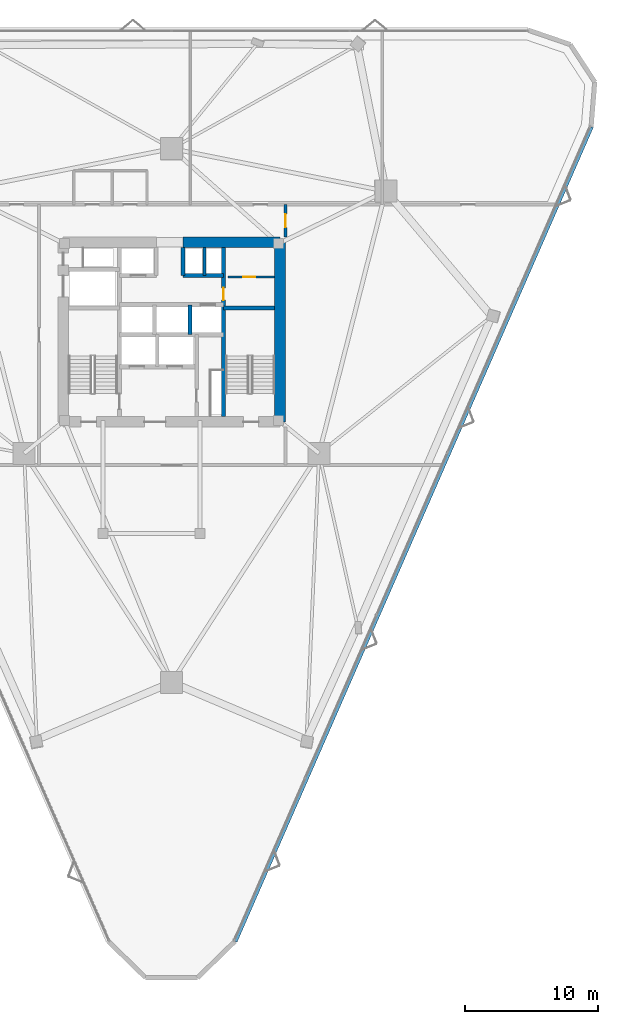
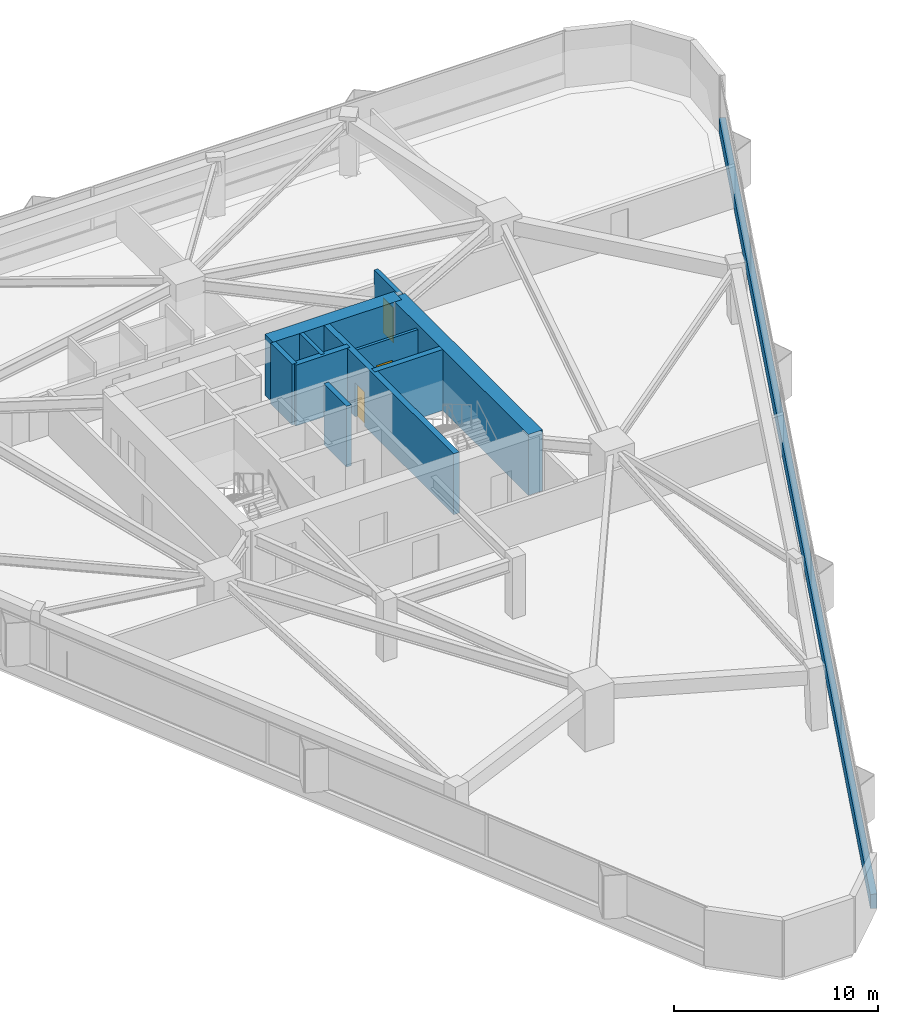
# One storey, part 17 of 20: 11 walls, 3 doors, 3 openings.
"""IFC4 building model written with IfcOpenShell, lengths in metres."""

from ifc_helpers import new_model, si_unit, direction, frame, frame_2d, origin, place, context, subcontext, project, spatial, rectangle, extrude, material, layer, layer_set, type_object, element, fill, save


model = new_model("IFC4")

# Units and contexts
model_context = context("Model", 3, precision=1e-05, world=origin(), true_north=direction((0.0, 1.0)))
body_context = subcontext(model_context, "Body", "Model", "MODEL_VIEW")
ifc_project = project(units=[si_unit("LENGTHUNIT", "METRE"), si_unit("AREAUNIT", "SQUARE_METRE"), si_unit("VOLUMEUNIT", "CUBIC_METRE"), si_unit("PLANEANGLEUNIT", "RADIAN"), si_unit("MASSUNIT", "GRAM", prefix="KILO")], contexts=[model_context])

# Site, building, storey
site_placement = place(None, origin())
site = spatial("IfcSite", under=ifc_project, at=site_placement, CompositionType="ELEMENT")
building_placement = place(site_placement, origin())
building = spatial("IfcBuilding", under=site, at=building_placement, Name="Talyreon Biosciences Tower", CompositionType="ELEMENT")
storey_placement = place(building_placement, frame((0.0, 0.0, 78.64990234375)))
storey = spatial("IfcBuildingStorey", under=building, at=storey_placement, Name="L20", CompositionType="ELEMENT", Elevation=78.64990234375)

# Walls
ifc_material_1 = material(Name="Concrete C50/60", Category="concrete")
ifc_layer_1 = layer(ifc_material_1, 0.219970703125)
ifc_layer_set_1 = layer_set([ifc_layer_1], Name="Concrete C50/60")
wall_type_1 = type_object("IfcWallType", Name="CoreShearWall_220", PredefinedType="SHEAR", material=ifc_layer_set_1)
wall_1_placement = place(storey_placement, frame((68.4599609375, 72.25, 0.0), z_axis=(0.0, 0.0, 1.0), x_axis=(0.0, 1.0, 0.0)))
element("IfcWall", 1, at=wall_1_placement, inside=storey, type_object=wall_type_1, Name="L20 Core Shaft Wall SWPHD", PredefinedType="SHEAR", context=body_context, shape_type="SweptSolid", body=[
    extrude(rectangle(XDim=2.10009765625, YDim=0.219970703125, at=frame_2d((1.050048828125, 0.0))), origin(), (0.0, 0.0, 1.0), 3.650146484375),
])
ifc_layer_2 = layer(ifc_material_1, 0.280029296875)
ifc_layer_set_2 = layer_set([ifc_layer_2], Name="Concrete C50/60")
wall_type_2 = type_object("IfcWallType", Name="CoreShearWall_280", PredefinedType="SHEAR", material=ifc_layer_set_2)
wall_2_placement = place(storey_placement, frame((66.85009765625, 72.25, 0.0), z_axis=(0.0, 0.0, 1.0), x_axis=(0.0, 1.0, 0.0)))
element("IfcWall", 2, at=wall_2_placement, inside=storey, type_object=wall_type_2, Name="L20 Core Shaft Wall SWTHE", PredefinedType="SHEAR", context=body_context, shape_type="SweptSolid", body=[
    extrude(rectangle(XDim=2.10009765625, YDim=0.280029296875, at=frame_2d((1.050048828125, 0.0))), origin(), (0.0, 0.0, 1.0), 3.650146484375),
])
wall_3_placement = place(storey_placement, frame((67.3798828125, 67.800048828125, 0.0), z_axis=(0.0, 0.0, 1.0), x_axis=(0.0, 1.0, 0.0)))
element("IfcWall", 3, at=wall_3_placement, inside=storey, type_object=wall_type_2, Name="L20 Core Shaft Wall SWPMD", PredefinedType="SHEAR", context=body_context, shape_type="SweptSolid", body=[
    extrude(rectangle(XDim=2.25, YDim=0.280029296875, at=frame_2d((1.125, 0.0))), origin(), (0.0, 0.0, 1.0), 3.650146484375),
])

# Wall, opening, door
ifc_layer_3 = layer(ifc_material_1, 0.320068359375)
ifc_layer_set_3 = layer_set([ifc_layer_3], Name="Concrete C50/60")
wall_type_3 = type_object("IfcWallType", Name="CoreShearWall_320", PredefinedType="SHEAR", material=ifc_layer_set_3)
wall_4_placement = place(storey_placement, frame((69.909912109375, 61.64990234375, 0.0), z_axis=(0.0, 0.0, 1.0), x_axis=(0.0, 1.0, 0.0)))
wall_4 = element("IfcWall", 4, at=wall_4_placement, inside=storey, type_object=wall_type_3, Name="L20 Core Shaft Wall SW2W", PredefinedType="SHEAR", context=body_context, shape_type="SweptSolid", body=[
    extrude(rectangle(XDim=12.7001953125, YDim=0.320068359375, at=frame_2d((6.35009765625, 0.0))), origin(), (0.0, 0.0, 1.0), 3.650146484375),
])
opening_1_placement = place(wall_4_placement, frame((8.75, 0.0, 0.0)))
opening_1 = element("IfcOpeningElement", 5, at=opening_1_placement, cuts=wall_4, Name="Opening DR-L20-CSRV", PredefinedType="OPENING", context=body_context, shape_type="SweptSolid", body=[
    extrude(rectangle(XDim=0.919921875, YDim=2.050048828125, at=frame_2d((0.4599609375, 1.02490234375))), frame((0.0, 0.169921875, 0.0), z_axis=(0.0, -1.0, 0.0), x_axis=(1.0, 0.0, 0.0)), (0.0, 0.0, 1.0), 0.340087890625),
])
ifc_material_2 = material(Name="Painted steel fire-rated riser door", Category="steel")
door_type_1 = type_object("IfcDoorType", Name="RiserPlantAccessDoor_920x2050", OperationType="NOTDEFINED", PredefinedType="DOOR", material=ifc_material_2)
door_1_placement = place(opening_1_placement, origin())
door_1 = element("IfcDoor", 6, at=door_1_placement, inside=storey, type_object=door_type_1, Name="L20 Core Door DR-L20-CSRV", OperationType="SINGLE_SWING_RIGHT", OverallHeight=2.050048828125, OverallWidth=0.919921875, PredefinedType="DOOR", context=body_context, shape_type="SweptSolid", body=[
    extrude(rectangle(XDim=0.919921875, YDim=2.050048828125, at=frame_2d((0.4599609375, 1.02490234375))), frame((0.0, 0.02490234375, 0.0), z_axis=(0.0, -1.0, 0.0), x_axis=(1.0, 0.0, 0.0)), (0.0, 0.0, 1.0), 0.050048828125),
])
fill(opening_1, door_1)

# Walls
wall_5_placement = place(storey_placement, frame((69.909912109375, 69.81005859375, 0.0), z_axis=(0.0, 0.0, 1.0), x_axis=(1.0, 0.0, 0.0)))
element("IfcWall", 7, at=wall_5_placement, inside=storey, type_object=wall_type_3, Name="L20 Core Shaft Wall SW2N", PredefinedType="SHEAR", context=body_context, shape_type="SweptSolid", body=[
    extrude(rectangle(XDim=3.840087890625, YDim=0.320068359375, at=frame_2d((1.919921875, 0.0))), origin(), (0.0, 0.0, 1.0), 3.650146484375),
])
wall_6_placement = place(storey_placement, frame((66.85009765625, 72.25, 0.0), z_axis=(0.0, 0.0, 1.0), x_axis=(1.0, 0.0, 0.0)))
element("IfcWall", 8, at=wall_6_placement, inside=storey, type_object=wall_type_3, Name="L20 Core Shaft Wall SWNPE", PredefinedType="SHEAR", context=body_context, shape_type="SweptSolid", body=[
    extrude(rectangle(XDim=3.059814453125, YDim=0.320068359375, at=frame_2d((1.52978515625, 0.0))), origin(), (0.0, 0.0, 1.0), 3.650146484375),
])
ifc_material_3 = material(Name="Concrete C60/75", Category="concrete")
ifc_layer_4 = layer(ifc_material_3, 0.800048828125)
ifc_layer_set_4 = layer_set([ifc_layer_4], Name="Concrete C60/75")
wall_type_4 = type_object("IfcWallType", Name="CoreShearWall_800", PredefinedType="SHEAR", material=ifc_layer_set_4)
wall_7_placement = place(storey_placement, frame((74.14990234375, 61.25, 0.0), z_axis=(0.0, 0.0, 1.0), x_axis=(0.0, 1.0, 0.0)))
element("IfcWall", 9, at=wall_7_placement, inside=storey, type_object=wall_type_4, Name="L20 Core Shear Wall E", PredefinedType="SHEAR", context=body_context, shape_type="SweptSolid", body=[
    extrude(rectangle(XDim=13.5, YDim=0.800048828125, at=frame_2d((6.75, 0.0))), origin(), (0.0, 0.0, 1.0), 3.650146484375),
])
wall_8_placement = place(storey_placement, frame((74.14990234375, 74.75, 0.0), z_axis=(0.0, 0.0, 1.0), x_axis=(-1.0, 0.0, 0.0)))
element("IfcWall", 10, at=wall_8_placement, inside=storey, type_object=wall_type_4, Name="L20 Core Shear Wall NE", PredefinedType="SHEAR", context=body_context, shape_type="SweptSolid", body=[
    extrude(rectangle(XDim=7.2998046875, YDim=0.800048828125, at=frame_2d((3.64990234375, 0.0))), origin(), (0.0, 0.0, 1.0), 3.650146484375),
])

# Wall, opening, door
ifc_material_4 = material(Name="Gypsum fireboard acoustic stud", Category="gypsum")
ifc_layer_5 = layer(ifc_material_4, 0.219970703125)
ifc_layer_set_5 = layer_set([ifc_layer_5], Name="Gypsum fireboard acoustic stud")
wall_type_5 = type_object("IfcWallType", Name="CorridorRatedPartition_220", PredefinedType="PARTITIONING", material=ifc_layer_set_5)
wall_9_placement = place(storey_placement, frame((74.550048828125, 75.14990234375, 0.0), z_axis=(0.0, 0.0, 1.0), x_axis=(0.0, 1.0, 0.0)))
wall_9 = element("IfcWall", 11, at=wall_9_placement, inside=storey, type_object=wall_type_5, Name="L20 Interior Wall IW-L20-ECAP-N", PredefinedType="PARTITIONING", context=body_context, shape_type="SweptSolid", body=[
    extrude(rectangle(XDim=2.43017578125, YDim=0.219970703125, at=frame_2d((1.215087890625, 0.0))), origin(), (0.0, 0.0, 1.0), 3.375),
])
opening_2_placement = place(wall_9_placement, frame((0.715087890625, 0.0, 0.0)))
opening_2 = element("IfcOpeningElement", 12, at=opening_2_placement, cuts=wall_9, Name="Opening DR-L20-E1A", PredefinedType="OPENING", context=body_context, shape_type="SweptSolid", body=[
    extrude(rectangle(XDim=1.0, YDim=2.10009765625, at=frame_2d((0.5, 1.050048828125))), frame((0.0, 0.119873046875, 0.0), z_axis=(0.0, -1.0, 0.0), x_axis=(1.0, 0.0, 0.0)), (0.0, 0.0, 1.0), 0.239990234375),
])
ifc_material_5 = material(Name="Acoustic oak veneer office door", Category="wood")
door_type_2 = type_object("IfcDoorType", Name="WriteupOfficeDoor_1000x2100", OperationType="NOTDEFINED", PredefinedType="DOOR", material=ifc_material_5)
door_2_placement = place(opening_2_placement, origin())
door_2 = element("IfcDoor", 13, at=door_2_placement, inside=storey, type_object=door_type_2, Name="L20 Interior Door DR-L20-E1A", OperationType="SINGLE_SWING_RIGHT", OverallHeight=2.10009765625, OverallWidth=1.0, PredefinedType="DOOR", context=body_context, shape_type="SweptSolid", body=[
    extrude(rectangle(XDim=1.0, YDim=2.10009765625, at=frame_2d((0.5, 1.050048828125))), frame((0.0, 0.02490234375, 0.0), z_axis=(0.0, -1.0, 0.0), x_axis=(1.0, 0.0, 0.0)), (0.0, 0.0, 1.0), 0.050048828125),
])
fill(opening_2, door_2)

ifc_material_6 = material(Name="Gypsum acoustic stud partition", Category="gypsum")
ifc_layer_6 = layer(ifc_material_6, 0.159912109375)
ifc_layer_set_6 = layer_set([ifc_layer_6], Name="Gypsum acoustic stud partition")
wall_type_6 = type_object("IfcWallType", Name="LabSeparationPartition_160", PredefinedType="PARTITIONING", material=ifc_layer_set_6)
wall_10_placement = place(storey_placement, frame((70.22998046875, 72.14990234375, 0.0), z_axis=(0.0, 0.0, 1.0), x_axis=(1.0, 0.0, 0.0)))
wall_10 = element("IfcWall", 14, at=wall_10_placement, inside=storey, type_object=wall_type_6, Name="L20 Interior Wall IW-L20-CSRV-H", PredefinedType="PARTITIONING", context=body_context, shape_type="SweptSolid", body=[
    extrude(rectangle(XDim=3.52001953125, YDim=0.159912109375, at=frame_2d((1.760009765625, 0.0))), origin(), (0.0, 0.0, 1.0), 3.375),
])
opening_3_placement = place(wall_10_placement, frame((1.14990234375, 0.0, 0.0)))
opening_3 = element("IfcOpeningElement", 15, at=opening_3_placement, cuts=wall_10, Name="Opening DR-L20-CSRV-I", PredefinedType="OPENING", context=body_context, shape_type="SweptSolid", body=[
    extrude(rectangle(XDim=0.919921875, YDim=2.050048828125, at=frame_2d((0.4599609375, 1.02490234375))), frame((0.0, 0.08984375, 0.0), z_axis=(0.0, -1.0, 0.0), x_axis=(1.0, 0.0, 0.0)), (0.0, 0.0, 1.0), 0.179931640625),
])
door_3_placement = place(opening_3_placement, origin())
door_3 = element("IfcDoor", 16, at=door_3_placement, inside=storey, type_object=door_type_1, Name="L20 Interior Door DR-L20-CSRV-I", OperationType="SINGLE_SWING_LEFT", OverallHeight=2.050048828125, OverallWidth=0.919921875, PredefinedType="DOOR", context=body_context, shape_type="SweptSolid", body=[
    extrude(rectangle(XDim=0.919921875, YDim=2.050048828125, at=frame_2d((0.4599609375, 1.02490234375))), frame((0.0, 0.02490234375, 0.0), z_axis=(0.0, -1.0, 0.0), x_axis=(1.0, 0.0, 0.0)), (0.0, 0.0, 1.0), 0.050048828125),
])
fill(opening_3, door_3)

# Wall
ifc_material_7 = material(Name="Precast concrete C45/55", Category="concrete")
ifc_layer_7 = layer(ifc_material_7, 0.340087890625)
ifc_layer_set_7 = layer_set([ifc_layer_7], Name="Precast concrete C45/55")
wall_type_7 = type_object("IfcWallType", Name="PrecastConcreteSpandrelWall_340", PredefinedType="STANDARD", material=ifc_layer_set_7)
wall_11_placement = place(storey_placement, frame((97.548828125, 83.436767578125, 0.0), z_axis=(0.0, 0.0, 1.0), x_axis=(-0.400686629733, -0.916215162914, 0.0)))
element("IfcWall", 17, at=wall_11_placement, inside=storey, type_object=wall_type_7, Name="L20 Expressed Concrete Sill Wall 08", PredefinedType="STANDARD", context=body_context, shape_type="SweptSolid", body=[
    extrude(rectangle(XDim=66.84619140625, YDim=0.340087890625, at=frame_2d((33.423095703125, 0.0))), origin(), (0.0, 0.0, 1.0), 0.85009765625),
])

save(model, "model.ifc")
